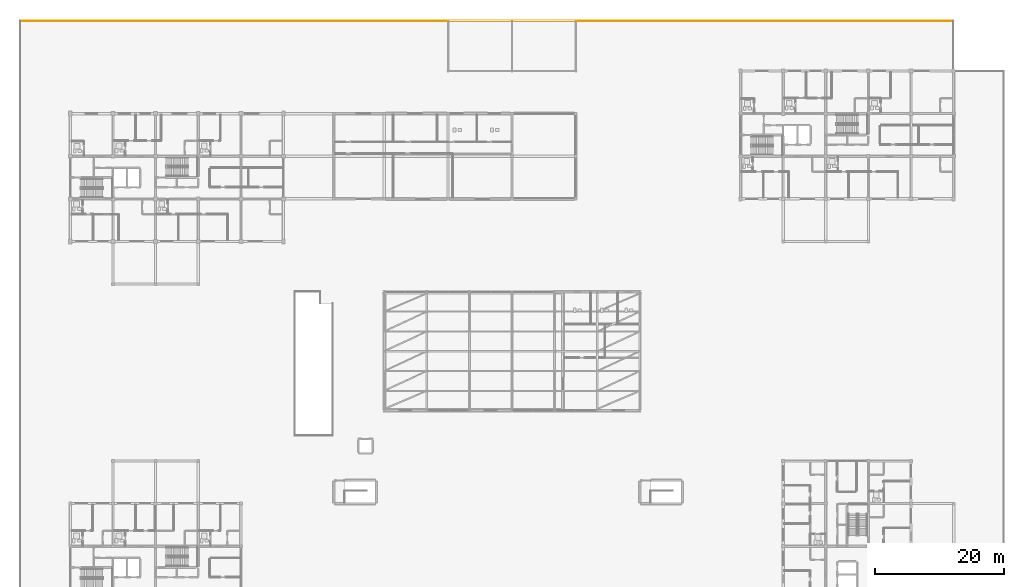
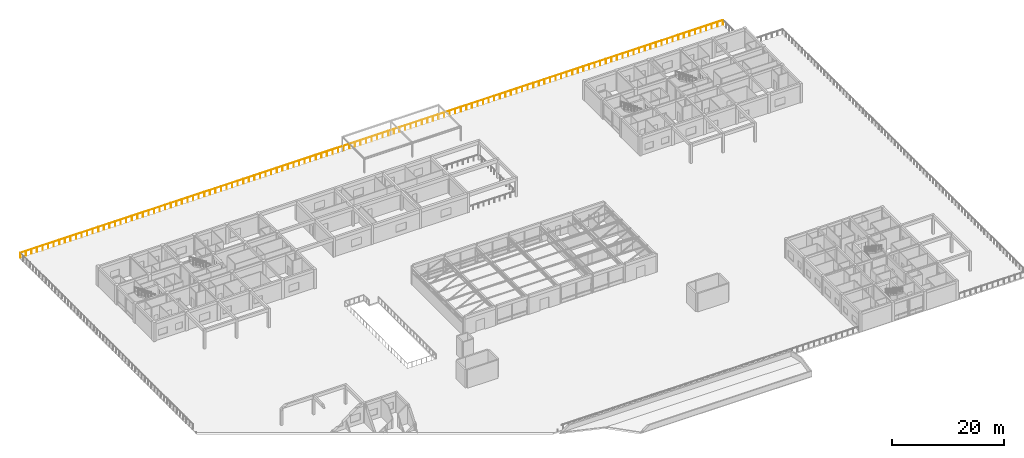
# One storey, part 89 of 92: 1 railing.
"""IFC4 building model written with IfcOpenShell, lengths in metres."""

from ifc_helpers import new_model, si_unit, direction, frame, origin, origin_2d, place, context, subcontext, project, spatial, circle, extrude, material, type_object, element, save


model = new_model("IFC4")

# Units and contexts
model_context = context("Model", 3, precision=1e-05, world=origin(), true_north=direction((0.0, 1.0)))
body_context = subcontext(model_context, "Body", "Model", "MODEL_VIEW")
ifc_project = project(units=[si_unit("LENGTHUNIT", "METRE"), si_unit("AREAUNIT", "SQUARE_METRE"), si_unit("VOLUMEUNIT", "CUBIC_METRE"), si_unit("PLANEANGLEUNIT", "RADIAN"), si_unit("MASSUNIT", "GRAM", prefix="KILO")], contexts=[model_context])

# Site, building, storey
site_placement = place(None, origin())
site = spatial("IfcSite", under=ifc_project, at=site_placement, CompositionType="ELEMENT")
building_placement = place(site_placement, origin())
building = spatial("IfcBuilding", under=site, at=building_placement, Name="Kernevlak Ridge Housing Community", CompositionType="ELEMENT")
storey_placement = place(building_placement, frame((0.0, 0.0, 4.199951171875)))
storey = spatial("IfcBuildingStorey", under=building, at=storey_placement, Name="L01", CompositionType="ELEMENT", Elevation=4.199951171875)

# Railing
ifc_material = material(Name="Steel S355", Category="steel")
railing_type = type_object("IfcRailingType", Name="GR-01", PredefinedType="GUARDRAIL", material=ifc_material)
railing_placement = place(storey_placement, frame((152.35009765625, 110.14990234375, 0.0)))
element("IfcRailing", 1, at=railing_placement, inside=storey, type_object=railing_type, Name="L01 civic plaza perimeter guard GR-01 62", PredefinedType="GUARDRAIL", context=body_context, shape_type="SweptSolid", body=[
    extrude(circle(Radius=0.02392578125, at=origin_2d()), frame((0.0, 0.0, 1.09619140625), z_axis=(-1.0, 0.0, 0.0), x_axis=(0.0, -1.0, 0.0)), (0.0, 0.0, 1.0), 144.5),
    extrude(circle(Radius=0.02099609375, at=origin_2d()), origin(), (0.0, 0.0, 1.0), 1.072021484375),
    extrude(circle(Radius=0.02099609375, at=origin_2d()), frame((-1.146728515625, 0.0, 0.0)), (0.0, 0.0, 1.0), 1.072021484375),
    extrude(circle(Radius=0.02099609375, at=origin_2d()), frame((-2.293701171875, 0.0, 0.0)), (0.0, 0.0, 1.0), 1.072021484375),
    extrude(circle(Radius=0.02099609375, at=origin_2d()), frame((-3.4404296875, 0.0, 0.0)), (0.0, 0.0, 1.0), 1.072021484375),
    extrude(circle(Radius=0.02099609375, at=origin_2d()), frame((-4.58740234375, 0.0, 0.0)), (0.0, 0.0, 1.0), 1.072021484375),
    extrude(circle(Radius=0.02099609375, at=origin_2d()), frame((-5.734130859375, 0.0, 0.0)), (0.0, 0.0, 1.0), 1.072021484375),
    extrude(circle(Radius=0.02099609375, at=origin_2d()), frame((-6.880859375, 0.0, 0.0)), (0.0, 0.0, 1.0), 1.072021484375),
    extrude(circle(Radius=0.02099609375, at=origin_2d()), frame((-8.02783203125, 0.0, 0.0)), (0.0, 0.0, 1.0), 1.072021484375),
    extrude(circle(Radius=0.02099609375, at=origin_2d()), frame((-9.174560546875, 0.0, 0.0)), (0.0, 0.0, 1.0), 1.072021484375),
    extrude(circle(Radius=0.02099609375, at=origin_2d()), frame((-10.321533203125, 0.0, 0.0)), (0.0, 0.0, 1.0), 1.072021484375),
    extrude(circle(Radius=0.02099609375, at=origin_2d()), frame((-11.46826171875, 0.0, 0.0)), (0.0, 0.0, 1.0), 1.072021484375),
    extrude(circle(Radius=0.02099609375, at=origin_2d()), frame((-12.614990234375, 0.0, 0.0)), (0.0, 0.0, 1.0), 1.072021484375),
    extrude(circle(Radius=0.02099609375, at=origin_2d()), frame((-13.761962890625, 0.0, 0.0)), (0.0, 0.0, 1.0), 1.072021484375),
    extrude(circle(Radius=0.02099609375, at=origin_2d()), frame((-14.90869140625, 0.0, 0.0)), (0.0, 0.0, 1.0), 1.072021484375),
    extrude(circle(Radius=0.02099609375, at=origin_2d()), frame((-16.0556640625, 0.0, 0.0)), (0.0, 0.0, 1.0), 1.072021484375),
    extrude(circle(Radius=0.02099609375, at=origin_2d()), frame((-17.202392578125, 0.0, 0.0)), (0.0, 0.0, 1.0), 1.072021484375),
    extrude(circle(Radius=0.02099609375, at=origin_2d()), frame((-18.34912109375, 0.0, 0.0)), (0.0, 0.0, 1.0), 1.072021484375),
    extrude(circle(Radius=0.02099609375, at=origin_2d()), frame((-19.49609375, 0.0, 0.0)), (0.0, 0.0, 1.0), 1.072021484375),
    extrude(circle(Radius=0.02099609375, at=origin_2d()), frame((-20.642822265625, 0.0, 0.0)), (0.0, 0.0, 1.0), 1.072021484375),
    extrude(circle(Radius=0.02099609375, at=origin_2d()), frame((-21.789794921875, 0.0, 0.0)), (0.0, 0.0, 1.0), 1.072021484375),
    extrude(circle(Radius=0.02099609375, at=origin_2d()), frame((-22.9365234375, 0.0, 0.0)), (0.0, 0.0, 1.0), 1.072021484375),
    extrude(circle(Radius=0.02099609375, at=origin_2d()), frame((-24.083251953125, 0.0, 0.0)), (0.0, 0.0, 1.0), 1.072021484375),
    extrude(circle(Radius=0.02099609375, at=origin_2d()), frame((-25.230224609375, 0.0, 0.0)), (0.0, 0.0, 1.0), 1.072021484375),
    extrude(circle(Radius=0.02099609375, at=origin_2d()), frame((-26.376953125, 0.0, 0.0)), (0.0, 0.0, 1.0), 1.072021484375),
    extrude(circle(Radius=0.02099609375, at=origin_2d()), frame((-27.52392578125, 0.0, 0.0)), (0.0, 0.0, 1.0), 1.072021484375),
    extrude(circle(Radius=0.02099609375, at=origin_2d()), frame((-28.670654296875, 0.0, 0.0)), (0.0, 0.0, 1.0), 1.072021484375),
    extrude(circle(Radius=0.02099609375, at=origin_2d()), frame((-29.8173828125, 0.0, 0.0)), (0.0, 0.0, 1.0), 1.072021484375),
    extrude(circle(Radius=0.02099609375, at=origin_2d()), frame((-30.96435546875, 0.0, 0.0)), (0.0, 0.0, 1.0), 1.072021484375),
    extrude(circle(Radius=0.02099609375, at=origin_2d()), frame((-32.111083984375, 0.0, 0.0)), (0.0, 0.0, 1.0), 1.072021484375),
    extrude(circle(Radius=0.02099609375, at=origin_2d()), frame((-33.258056640625, 0.0, 0.0)), (0.0, 0.0, 1.0), 1.072021484375),
    extrude(circle(Radius=0.02099609375, at=origin_2d()), frame((-34.40478515625, 0.0, 0.0)), (0.0, 0.0, 1.0), 1.072021484375),
    extrude(circle(Radius=0.02099609375, at=origin_2d()), frame((-35.551513671875, 0.0, 0.0)), (0.0, 0.0, 1.0), 1.072021484375),
    extrude(circle(Radius=0.02099609375, at=origin_2d()), frame((-36.698486328125, 0.0, 0.0)), (0.0, 0.0, 1.0), 1.072021484375),
    extrude(circle(Radius=0.02099609375, at=origin_2d()), frame((-37.84521484375, 0.0, 0.0)), (0.0, 0.0, 1.0), 1.072021484375),
    extrude(circle(Radius=0.02099609375, at=origin_2d()), frame((-38.991943359375, 0.0, 0.0)), (0.0, 0.0, 1.0), 1.072021484375),
    extrude(circle(Radius=0.02099609375, at=origin_2d()), frame((-40.138916015625, 0.0, 0.0)), (0.0, 0.0, 1.0), 1.072021484375),
    extrude(circle(Radius=0.02099609375, at=origin_2d()), frame((-41.28564453125, 0.0, 0.0)), (0.0, 0.0, 1.0), 1.072021484375),
    extrude(circle(Radius=0.02099609375, at=origin_2d()), frame((-42.4326171875, 0.0, 0.0)), (0.0, 0.0, 1.0), 1.072021484375),
    extrude(circle(Radius=0.02099609375, at=origin_2d()), frame((-43.579345703125, 0.0, 0.0)), (0.0, 0.0, 1.0), 1.072021484375),
    extrude(circle(Radius=0.02099609375, at=origin_2d()), frame((-44.72607421875, 0.0, 0.0)), (0.0, 0.0, 1.0), 1.072021484375),
    extrude(circle(Radius=0.02099609375, at=origin_2d()), frame((-45.873046875, 0.0, 0.0)), (0.0, 0.0, 1.0), 1.072021484375),
    extrude(circle(Radius=0.02099609375, at=origin_2d()), frame((-47.019775390625, 0.0, 0.0)), (0.0, 0.0, 1.0), 1.072021484375),
    extrude(circle(Radius=0.02099609375, at=origin_2d()), frame((-48.166748046875, 0.0, 0.0)), (0.0, 0.0, 1.0), 1.072021484375),
    extrude(circle(Radius=0.02099609375, at=origin_2d()), frame((-49.3134765625, 0.0, 0.0)), (0.0, 0.0, 1.0), 1.072021484375),
    extrude(circle(Radius=0.02099609375, at=origin_2d()), frame((-50.460205078125, 0.0, 0.0)), (0.0, 0.0, 1.0), 1.072021484375),
    extrude(circle(Radius=0.02099609375, at=origin_2d()), frame((-51.607177734375, 0.0, 0.0)), (0.0, 0.0, 1.0), 1.072021484375),
    extrude(circle(Radius=0.02099609375, at=origin_2d()), frame((-52.75390625, 0.0, 0.0)), (0.0, 0.0, 1.0), 1.072021484375),
    extrude(circle(Radius=0.02099609375, at=origin_2d()), frame((-53.90087890625, 0.0, 0.0)), (0.0, 0.0, 1.0), 1.072021484375),
    extrude(circle(Radius=0.02099609375, at=origin_2d()), frame((-55.047607421875, 0.0, 0.0)), (0.0, 0.0, 1.0), 1.072021484375),
    extrude(circle(Radius=0.02099609375, at=origin_2d()), frame((-56.1943359375, 0.0, 0.0)), (0.0, 0.0, 1.0), 1.072021484375),
    extrude(circle(Radius=0.02099609375, at=origin_2d()), frame((-57.34130859375, 0.0, 0.0)), (0.0, 0.0, 1.0), 1.072021484375),
    extrude(circle(Radius=0.02099609375, at=origin_2d()), frame((-58.488037109375, 0.0, 0.0)), (0.0, 0.0, 1.0), 1.072021484375),
    extrude(circle(Radius=0.02099609375, at=origin_2d()), frame((-59.635009765625, 0.0, 0.0)), (0.0, 0.0, 1.0), 1.072021484375),
    extrude(circle(Radius=0.02099609375, at=origin_2d()), frame((-60.78173828125, 0.0, 0.0)), (0.0, 0.0, 1.0), 1.072021484375),
    extrude(circle(Radius=0.02099609375, at=origin_2d()), frame((-61.928466796875, 0.0, 0.0)), (0.0, 0.0, 1.0), 1.072021484375),
    extrude(circle(Radius=0.02099609375, at=origin_2d()), frame((-63.075439453125, 0.0, 0.0)), (0.0, 0.0, 1.0), 1.072021484375),
    extrude(circle(Radius=0.02099609375, at=origin_2d()), frame((-64.22216796875, 0.0, 0.0)), (0.0, 0.0, 1.0), 1.072021484375),
    extrude(circle(Radius=0.02099609375, at=origin_2d()), frame((-65.369140625, 0.0, 0.0)), (0.0, 0.0, 1.0), 1.072021484375),
    extrude(circle(Radius=0.02099609375, at=origin_2d()), frame((-66.515869140625, 0.0, 0.0)), (0.0, 0.0, 1.0), 1.072021484375),
    extrude(circle(Radius=0.02099609375, at=origin_2d()), frame((-67.66259765625, 0.0, 0.0)), (0.0, 0.0, 1.0), 1.072021484375),
    extrude(circle(Radius=0.02099609375, at=origin_2d()), frame((-68.8095703125, 0.0, 0.0)), (0.0, 0.0, 1.0), 1.072021484375),
    extrude(circle(Radius=0.02099609375, at=origin_2d()), frame((-69.956298828125, 0.0, 0.0)), (0.0, 0.0, 1.0), 1.072021484375),
    extrude(circle(Radius=0.02099609375, at=origin_2d()), frame((-71.103271484375, 0.0, 0.0)), (0.0, 0.0, 1.0), 1.072021484375),
    extrude(circle(Radius=0.02099609375, at=origin_2d()), frame((-72.25, 0.0, 0.0)), (0.0, 0.0, 1.0), 1.072021484375),
    extrude(circle(Radius=0.02099609375, at=origin_2d()), frame((-73.396728515625, 0.0, 0.0)), (0.0, 0.0, 1.0), 1.072021484375),
    extrude(circle(Radius=0.02099609375, at=origin_2d()), frame((-74.543701171875, 0.0, 0.0)), (0.0, 0.0, 1.0), 1.072021484375),
    extrude(circle(Radius=0.02099609375, at=origin_2d()), frame((-75.6904296875, 0.0, 0.0)), (0.0, 0.0, 1.0), 1.072021484375),
    extrude(circle(Radius=0.02099609375, at=origin_2d()), frame((-76.83740234375, 0.0, 0.0)), (0.0, 0.0, 1.0), 1.072021484375),
    extrude(circle(Radius=0.02099609375, at=origin_2d()), frame((-77.984130859375, 0.0, 0.0)), (0.0, 0.0, 1.0), 1.072021484375),
    extrude(circle(Radius=0.02099609375, at=origin_2d()), frame((-79.130859375, 0.0, 0.0)), (0.0, 0.0, 1.0), 1.072021484375),
    extrude(circle(Radius=0.02099609375, at=origin_2d()), frame((-80.27783203125, 0.0, 0.0)), (0.0, 0.0, 1.0), 1.072021484375),
    extrude(circle(Radius=0.02099609375, at=origin_2d()), frame((-81.424560546875, 0.0, 0.0)), (0.0, 0.0, 1.0), 1.072021484375),
    extrude(circle(Radius=0.02099609375, at=origin_2d()), frame((-82.571533203125, 0.0, 0.0)), (0.0, 0.0, 1.0), 1.072021484375),
    extrude(circle(Radius=0.02099609375, at=origin_2d()), frame((-83.71826171875, 0.0, 0.0)), (0.0, 0.0, 1.0), 1.072021484375),
    extrude(circle(Radius=0.02099609375, at=origin_2d()), frame((-84.864990234375, 0.0, 0.0)), (0.0, 0.0, 1.0), 1.072021484375),
    extrude(circle(Radius=0.02099609375, at=origin_2d()), frame((-86.011962890625, 0.0, 0.0)), (0.0, 0.0, 1.0), 1.072021484375),
    extrude(circle(Radius=0.02099609375, at=origin_2d()), frame((-87.15869140625, 0.0, 0.0)), (0.0, 0.0, 1.0), 1.072021484375),
    extrude(circle(Radius=0.02099609375, at=origin_2d()), frame((-88.3056640625, 0.0, 0.0)), (0.0, 0.0, 1.0), 1.072021484375),
    extrude(circle(Radius=0.02099609375, at=origin_2d()), frame((-89.452392578125, 0.0, 0.0)), (0.0, 0.0, 1.0), 1.072021484375),
    extrude(circle(Radius=0.02099609375, at=origin_2d()), frame((-90.59912109375, 0.0, 0.0)), (0.0, 0.0, 1.0), 1.072021484375),
    extrude(circle(Radius=0.02099609375, at=origin_2d()), frame((-91.74609375, 0.0, 0.0)), (0.0, 0.0, 1.0), 1.072021484375),
    extrude(circle(Radius=0.02099609375, at=origin_2d()), frame((-92.892822265625, 0.0, 0.0)), (0.0, 0.0, 1.0), 1.072021484375),
    extrude(circle(Radius=0.02099609375, at=origin_2d()), frame((-94.039794921875, 0.0, 0.0)), (0.0, 0.0, 1.0), 1.072021484375),
    extrude(circle(Radius=0.02099609375, at=origin_2d()), frame((-95.1865234375, 0.0, 0.0)), (0.0, 0.0, 1.0), 1.072021484375),
    extrude(circle(Radius=0.02099609375, at=origin_2d()), frame((-96.333251953125, 0.0, 0.0)), (0.0, 0.0, 1.0), 1.072021484375),
    extrude(circle(Radius=0.02099609375, at=origin_2d()), frame((-97.480224609375, 0.0, 0.0)), (0.0, 0.0, 1.0), 1.072021484375),
    extrude(circle(Radius=0.02099609375, at=origin_2d()), frame((-98.626953125, 0.0, 0.0)), (0.0, 0.0, 1.0), 1.072021484375),
    extrude(circle(Radius=0.02099609375, at=origin_2d()), frame((-99.77392578125, 0.0, 0.0)), (0.0, 0.0, 1.0), 1.072021484375),
    extrude(circle(Radius=0.02099609375, at=origin_2d()), frame((-100.920654296875, 0.0, 0.0)), (0.0, 0.0, 1.0), 1.072021484375),
    extrude(circle(Radius=0.02099609375, at=origin_2d()), frame((-102.0673828125, 0.0, 0.0)), (0.0, 0.0, 1.0), 1.072021484375),
    extrude(circle(Radius=0.02099609375, at=origin_2d()), frame((-103.21435546875, 0.0, 0.0)), (0.0, 0.0, 1.0), 1.072021484375),
    extrude(circle(Radius=0.02099609375, at=origin_2d()), frame((-104.361083984375, 0.0, 0.0)), (0.0, 0.0, 1.0), 1.072021484375),
    extrude(circle(Radius=0.02099609375, at=origin_2d()), frame((-105.508056640625, 0.0, 0.0)), (0.0, 0.0, 1.0), 1.072021484375),
    extrude(circle(Radius=0.02099609375, at=origin_2d()), frame((-106.65478515625, 0.0, 0.0)), (0.0, 0.0, 1.0), 1.072021484375),
    extrude(circle(Radius=0.02099609375, at=origin_2d()), frame((-107.801513671875, 0.0, 0.0)), (0.0, 0.0, 1.0), 1.072021484375),
    extrude(circle(Radius=0.02099609375, at=origin_2d()), frame((-108.948486328125, 0.0, 0.0)), (0.0, 0.0, 1.0), 1.072021484375),
    extrude(circle(Radius=0.02099609375, at=origin_2d()), frame((-110.09521484375, 0.0, 0.0)), (0.0, 0.0, 1.0), 1.072021484375),
    extrude(circle(Radius=0.02099609375, at=origin_2d()), frame((-111.241943359375, 0.0, 0.0)), (0.0, 0.0, 1.0), 1.072021484375),
    extrude(circle(Radius=0.02099609375, at=origin_2d()), frame((-112.388916015625, 0.0, 0.0)), (0.0, 0.0, 1.0), 1.072021484375),
    extrude(circle(Radius=0.02099609375, at=origin_2d()), frame((-113.53564453125, 0.0, 0.0)), (0.0, 0.0, 1.0), 1.072021484375),
    extrude(circle(Radius=0.02099609375, at=origin_2d()), frame((-114.6826171875, 0.0, 0.0)), (0.0, 0.0, 1.0), 1.072021484375),
    extrude(circle(Radius=0.02099609375, at=origin_2d()), frame((-115.829345703125, 0.0, 0.0)), (0.0, 0.0, 1.0), 1.072021484375),
    extrude(circle(Radius=0.02099609375, at=origin_2d()), frame((-116.97607421875, 0.0, 0.0)), (0.0, 0.0, 1.0), 1.072021484375),
    extrude(circle(Radius=0.02099609375, at=origin_2d()), frame((-118.123046875, 0.0, 0.0)), (0.0, 0.0, 1.0), 1.072021484375),
    extrude(circle(Radius=0.02099609375, at=origin_2d()), frame((-119.269775390625, 0.0, 0.0)), (0.0, 0.0, 1.0), 1.072021484375),
    extrude(circle(Radius=0.02099609375, at=origin_2d()), frame((-120.416748046875, 0.0, 0.0)), (0.0, 0.0, 1.0), 1.072021484375),
    extrude(circle(Radius=0.02099609375, at=origin_2d()), frame((-121.5634765625, 0.0, 0.0)), (0.0, 0.0, 1.0), 1.072021484375),
    extrude(circle(Radius=0.02099609375, at=origin_2d()), frame((-122.710205078125, 0.0, 0.0)), (0.0, 0.0, 1.0), 1.072021484375),
    extrude(circle(Radius=0.02099609375, at=origin_2d()), frame((-123.857177734375, 0.0, 0.0)), (0.0, 0.0, 1.0), 1.072021484375),
    extrude(circle(Radius=0.02099609375, at=origin_2d()), frame((-125.00390625, 0.0, 0.0)), (0.0, 0.0, 1.0), 1.072021484375),
    extrude(circle(Radius=0.02099609375, at=origin_2d()), frame((-126.15087890625, 0.0, 0.0)), (0.0, 0.0, 1.0), 1.072021484375),
    extrude(circle(Radius=0.02099609375, at=origin_2d()), frame((-127.297607421875, 0.0, 0.0)), (0.0, 0.0, 1.0), 1.072021484375),
    extrude(circle(Radius=0.02099609375, at=origin_2d()), frame((-128.4443359375, 0.0, 0.0)), (0.0, 0.0, 1.0), 1.072021484375),
    extrude(circle(Radius=0.02099609375, at=origin_2d()), frame((-129.59130859375, 0.0, 0.0)), (0.0, 0.0, 1.0), 1.072021484375),
    extrude(circle(Radius=0.02099609375, at=origin_2d()), frame((-130.738037109375, 0.0, 0.0)), (0.0, 0.0, 1.0), 1.072021484375),
    extrude(circle(Radius=0.02099609375, at=origin_2d()), frame((-131.885009765625, 0.0, 0.0)), (0.0, 0.0, 1.0), 1.072021484375),
    extrude(circle(Radius=0.02099609375, at=origin_2d()), frame((-133.03173828125, 0.0, 0.0)), (0.0, 0.0, 1.0), 1.072021484375),
    extrude(circle(Radius=0.02099609375, at=origin_2d()), frame((-134.178466796875, 0.0, 0.0)), (0.0, 0.0, 1.0), 1.072021484375),
    extrude(circle(Radius=0.02099609375, at=origin_2d()), frame((-135.325439453125, 0.0, 0.0)), (0.0, 0.0, 1.0), 1.072021484375),
    extrude(circle(Radius=0.02099609375, at=origin_2d()), frame((-136.47216796875, 0.0, 0.0)), (0.0, 0.0, 1.0), 1.072021484375),
    extrude(circle(Radius=0.02099609375, at=origin_2d()), frame((-137.619140625, 0.0, 0.0)), (0.0, 0.0, 1.0), 1.072021484375),
    extrude(circle(Radius=0.02099609375, at=origin_2d()), frame((-138.765869140625, 0.0, 0.0)), (0.0, 0.0, 1.0), 1.072021484375),
    extrude(circle(Radius=0.02099609375, at=origin_2d()), frame((-139.91259765625, 0.0, 0.0)), (0.0, 0.0, 1.0), 1.072021484375),
    extrude(circle(Radius=0.02099609375, at=origin_2d()), frame((-141.0595703125, 0.0, 0.0)), (0.0, 0.0, 1.0), 1.072021484375),
    extrude(circle(Radius=0.02099609375, at=origin_2d()), frame((-142.206298828125, 0.0, 0.0)), (0.0, 0.0, 1.0), 1.072021484375),
    extrude(circle(Radius=0.02099609375, at=origin_2d()), frame((-143.353271484375, 0.0, 0.0)), (0.0, 0.0, 1.0), 1.072021484375),
    extrude(circle(Radius=0.02099609375, at=origin_2d()), frame((-144.5, 0.0, 0.0)), (0.0, 0.0, 1.0), 1.072021484375),
])

save(model, "model.ifc")
